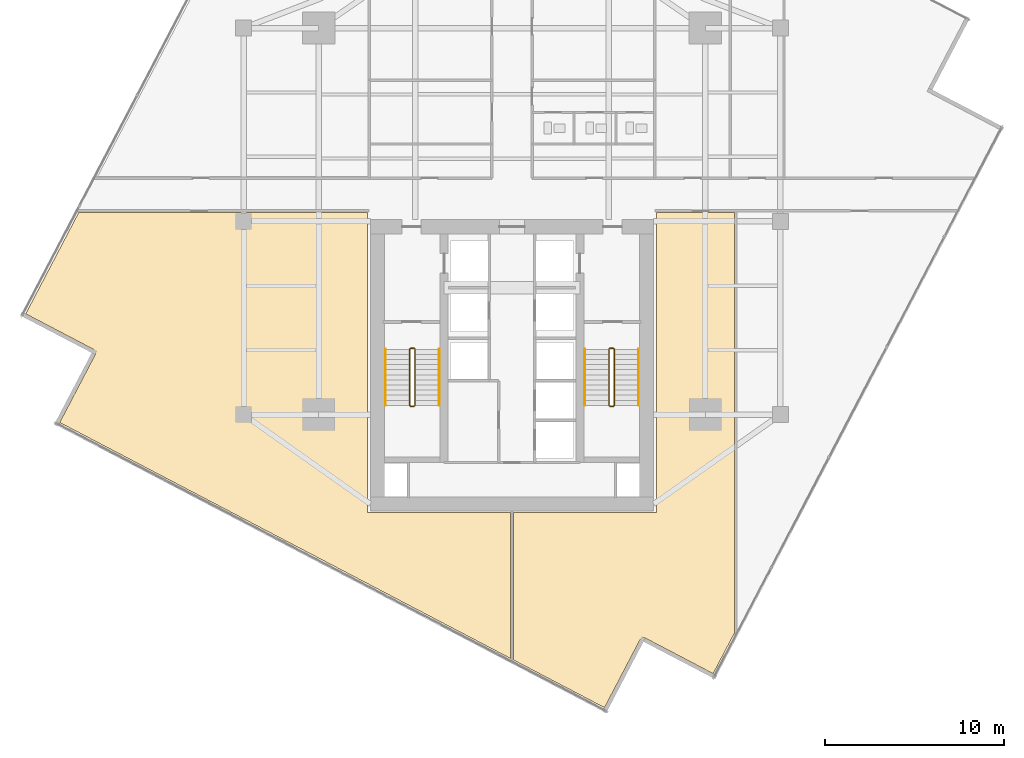
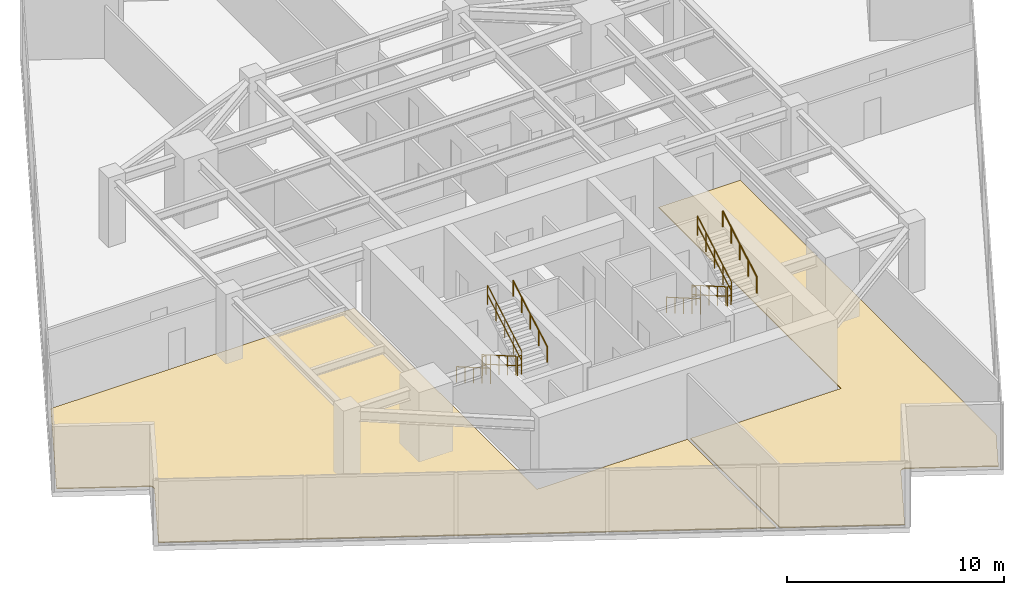
# One storey, part 25 of 27: 12 railings, 2 coverings.
"""IFC4 building model written with IfcOpenShell, lengths in metres."""

from ifc_helpers import new_model, si_unit, direction, frame, origin, origin_2d, place, context, subcontext, project, spatial, polyline, circle, outline, extrude, material, layer, layer_set, type_object, element, save


model = new_model("IFC4")

# Units and contexts
model_context = context("Model", 3, precision=1e-05, world=origin(), true_north=direction((0.0, 1.0)))
body_context = subcontext(model_context, "Body", "Model", "MODEL_VIEW")
ifc_project = project(units=[si_unit("LENGTHUNIT", "METRE"), si_unit("AREAUNIT", "SQUARE_METRE"), si_unit("VOLUMEUNIT", "CUBIC_METRE"), si_unit("PLANEANGLEUNIT", "RADIAN"), si_unit("MASSUNIT", "GRAM", prefix="KILO")], contexts=[model_context])

# Site, building, storey
site_placement = place(None, origin())
site = spatial("IfcSite", under=ifc_project, at=site_placement, CompositionType="ELEMENT")
building_placement = place(site_placement, origin())
building = spatial("IfcBuilding", under=site, at=building_placement, Name="Krantzveldt Concourse Tower", CompositionType="ELEMENT")
storey_placement = place(building_placement, frame((0.0, 0.0, 150.14990234375)))
storey = spatial("IfcBuildingStorey", under=building, at=storey_placement, Name="L36", CompositionType="ELEMENT", Elevation=150.14990234375)

# Coverings
ifc_material_1 = material(Name="Calcium-sulphate raised access floor panel", Category="flooring")
ifc_layer_1 = layer(ifc_material_1, 0.050048828125, Name="Calcium-sulphate raised access floor panel", Category="flooring")
ifc_layer_set_1 = layer_set([ifc_layer_1], Name="Calcium-sulphate raised access floor panel (COV-FLOOR-RAISED)")
covering_type = type_object("IfcCoveringType", Name="COV-FLOOR-RAISED", PredefinedType="FLOORING", material=ifc_layer_set_1)
covering_1_placement = place(storey_placement, origin())
element("IfcCovering", 1, at=covering_1_placement, inside=storey, type_object=covering_type, Name="FLR-SP-L36-SWX1", PredefinedType="FLOORING", context=body_context, shape_type="SweptSolid", body=[
    extrude(outline(polyline([(27.919921875, 10.419921875), (35.919921875, 10.419921875), (35.919921875, 2.2724609375), (10.725830078125, 15.45751953125), (12.71044921875, 19.249755859375), (12.719482421875, 19.269287109375), (12.7265625, 19.28955078125), (12.731689453125, 19.310546875), (12.734619140625, 19.33203125), (12.735595703125, 19.353515625), (12.734130859375, 19.375244140625), (12.73095703125, 19.396484375), (12.725341796875, 19.41748046875), (12.718017578125, 19.4375), (12.70849609375, 19.45703125), (12.697265625, 19.4755859375), (12.684326171875, 19.49267578125), (12.669677734375, 19.508544921875), (12.653564453125, 19.52294921875), (12.63623046875, 19.53564453125), (12.617431640625, 19.546630859375), (8.825439453125, 21.53125), (11.792236328125, 27.199951171875), (27.919921875, 27.199951171875), (27.919921875, 10.419921875)])), origin(), (0.0, 0.0, 1.0), 0.050048828125),
])
covering_2_placement = place(storey_placement, origin())
element("IfcCovering", 2, at=covering_2_placement, inside=storey, type_object=covering_type, Name="FLR-SP-L36-SEX1", PredefinedType="FLOORING", context=body_context, shape_type="SweptSolid", body=[
    extrude(outline(polyline([(48.419921875, 3.676025390625), (47.242431640625, 1.42578125), (43.450439453125, 3.410400390625), (43.4306640625, 3.41943359375), (43.410400390625, 3.426513671875), (43.389404296875, 3.431640625), (43.367919921875, 3.4345703125), (43.346435546875, 3.435546875), (43.324951171875, 3.434326171875), (43.303466796875, 3.430908203125), (43.28271484375, 3.425537109375), (43.262451171875, 3.41796875), (43.242919921875, 3.40869140625), (43.224609375, 3.3974609375), (43.207275390625, 3.38427734375), (43.19140625, 3.36962890625), (43.177001953125, 3.353515625), (43.164306640625, 3.336181640625), (43.1533203125, 3.317626953125), (41.1689453125, -0.474609375), (36.080078125, 2.188720703125), (36.080078125, 10.419921875), (44.080078125, 10.419921875), (44.080078125, 27.199951171875), (48.419921875, 27.199951171875), (48.419921875, 3.676025390625)])), origin(), (0.0, 0.0, 1.0), 0.050048828125),
])

# Railings
ifc_material_2 = material(Name="Stainless steel 316L", Category="steel")
ifc_layer_2 = layer(ifc_material_2, 0.06005859375, Name="Stainless steel 316L", Category="steel")
ifc_layer_set_2 = layer_set([ifc_layer_2], Name="Stainless steel 316L (RL-GUARD-1120)")
railing_type_1 = type_object("IfcRailingType", Name="RL-GUARD-1120", PredefinedType="GUARDRAIL", material=ifc_layer_set_2)
railing_1_placement = place(storey_placement, frame((30.280029296875, 19.550048828125, 0.164794921875)))
element("IfcRailing", 3, at=railing_1_placement, inside=storey, type_object=railing_type_1, Name="L36 ST-1 stair guard 1", PredefinedType="GUARDRAIL", context=body_context, shape_type="SweptSolid", body=[
    extrude(circle(Radius=0.02392578125, at=origin_2d()), frame((0.0, 0.0, 1.076171875), z_axis=(0.0, -0.865989039225, 0.500062979975), x_axis=(1.0, 0.0, 0.0)), (0.0, 0.0, 1.0), 3.6201171875),
    extrude(circle(Radius=0.02392578125, at=origin_2d()), frame((0.0, 0.0, 0.550048828125), z_axis=(0.0, -0.865989039225, 0.500062979975), x_axis=(1.0, 0.0, 0.0)), (0.0, 0.0, 1.0), 3.6201171875),
    extrude(circle(Radius=0.02099609375, at=origin_2d()), origin(), (0.0, 0.0, 1.0), 1.052001953125),
    extrude(circle(Radius=0.02099609375, at=origin_2d()), frame((0.0, -0.78369140625, 0.45263671875)), (0.0, 0.0, 1.0), 1.052001953125),
    extrude(circle(Radius=0.02099609375, at=origin_2d()), frame((0.0, -1.5673828125, 0.9052734375)), (0.0, 0.0, 1.0), 1.052001953125),
    extrude(circle(Radius=0.02099609375, at=origin_2d()), frame((0.0, -2.351318359375, 1.357666015625)), (0.0, 0.0, 1.0), 1.052001953125),
    extrude(circle(Radius=0.02099609375, at=origin_2d()), frame((0.0, -3.135009765625, 1.810302734375)), (0.0, 0.0, 1.0), 1.052001953125),
])
railing_2_placement = place(storey_placement, frame((30.330078125, 16.364990234375, 1.97509765625)))
element("IfcRailing", 4, at=railing_2_placement, inside=storey, type_object=railing_type_1, Name="L36 ST-1 stair guard 2", PredefinedType="GUARDRAIL", context=body_context, shape_type="SweptSolid", body=[
    extrude(circle(Radius=0.02392578125, at=origin_2d()), frame((0.0, 0.0, 1.076171875), z_axis=(1.0, 0.0, 0.0), x_axis=(0.0, 1.0, 0.0)), (0.0, 0.0, 1.0), 0.199951171875),
    extrude(circle(Radius=0.02392578125, at=origin_2d()), frame((0.0, 0.0, 0.550048828125), z_axis=(1.0, 0.0, 0.0), x_axis=(0.0, 1.0, 0.0)), (0.0, 0.0, 1.0), 0.199951171875),
    extrude(circle(Radius=0.02099609375, at=origin_2d()), origin(), (0.0, 0.0, 1.0), 1.052001953125),
    extrude(circle(Radius=0.02099609375, at=origin_2d()), frame((0.199951171875, 0.0, 0.0)), (0.0, 0.0, 1.0), 1.052001953125),
])
railing_3_placement = place(storey_placement, frame((30.580078125, 16.4150390625, 2.1396484375)))
element("IfcRailing", 5, at=railing_3_placement, inside=storey, type_object=railing_type_1, Name="L36 ST-1 stair guard 3", PredefinedType="GUARDRAIL", context=body_context, shape_type="SweptSolid", body=[
    extrude(circle(Radius=0.02392578125, at=origin_2d()), frame((0.0, 0.0, 1.076171875), z_axis=(0.0, 0.865959834175, 0.500113552702), x_axis=(-1.0, 0.0, 0.0)), (0.0, 0.0, 1.0), 3.620361328125),
    extrude(circle(Radius=0.02392578125, at=origin_2d()), frame((0.0, 0.0, 0.550048828125), z_axis=(0.0, 0.865959834175, 0.500113552702), x_axis=(-1.0, 0.0, 0.0)), (0.0, 0.0, 1.0), 3.620361328125),
    extrude(circle(Radius=0.02099609375, at=origin_2d()), origin(), (0.0, 0.0, 1.0), 1.052001953125),
    extrude(circle(Radius=0.02099609375, at=origin_2d()), frame((0.0, 0.78369140625, 0.45263671875)), (0.0, 0.0, 1.0), 1.052001953125),
    extrude(circle(Radius=0.02099609375, at=origin_2d()), frame((0.0, 1.5673828125, 0.9052734375)), (0.0, 0.0, 1.0), 1.052001953125),
    extrude(circle(Radius=0.02099609375, at=origin_2d()), frame((0.0, 2.351318359375, 1.35791015625)), (0.0, 0.0, 1.0), 1.052001953125),
    extrude(circle(Radius=0.02099609375, at=origin_2d()), frame((0.0, 3.135009765625, 1.810546875)), (0.0, 0.0, 1.0), 1.052001953125),
])
railing_4_placement = place(storey_placement, frame((30.330078125, 19.60009765625, 0.0)))
element("IfcRailing", 6, at=railing_4_placement, inside=storey, type_object=railing_type_1, Name="L36 ST-1 stair guard 4", PredefinedType="GUARDRAIL", context=body_context, shape_type="SweptSolid", body=[
    extrude(circle(Radius=0.02392578125, at=origin_2d()), frame((0.0, 0.0, 1.076171875), z_axis=(1.0, 0.0, 0.0), x_axis=(0.0, 1.0, 0.0)), (0.0, 0.0, 1.0), 0.199951171875),
    extrude(circle(Radius=0.02392578125, at=origin_2d()), frame((0.0, 0.0, 0.550048828125), z_axis=(1.0, 0.0, 0.0), x_axis=(0.0, 1.0, 0.0)), (0.0, 0.0, 1.0), 0.199951171875),
    extrude(circle(Radius=0.02099609375, at=origin_2d()), origin(), (0.0, 0.0, 1.0), 1.052001953125),
    extrude(circle(Radius=0.02099609375, at=origin_2d()), frame((0.199951171875, 0.0, 0.0)), (0.0, 0.0, 1.0), 1.052001953125),
])
railing_5_placement = place(storey_placement, frame((41.419921875, 19.550048828125, 0.164794921875)))
element("IfcRailing", 7, at=railing_5_placement, inside=storey, type_object=railing_type_1, Name="L36 ST-2 stair guard 1", PredefinedType="GUARDRAIL", context=body_context, shape_type="SweptSolid", body=[
    extrude(circle(Radius=0.02392578125, at=origin_2d()), frame((0.0, 0.0, 1.076171875), z_axis=(0.0, -0.865989039225, 0.500062979975), x_axis=(1.0, 0.0, 0.0)), (0.0, 0.0, 1.0), 3.6201171875),
    extrude(circle(Radius=0.02392578125, at=origin_2d()), frame((0.0, 0.0, 0.550048828125), z_axis=(0.0, -0.865989039225, 0.500062979975), x_axis=(1.0, 0.0, 0.0)), (0.0, 0.0, 1.0), 3.6201171875),
    extrude(circle(Radius=0.02099609375, at=origin_2d()), origin(), (0.0, 0.0, 1.0), 1.052001953125),
    extrude(circle(Radius=0.02099609375, at=origin_2d()), frame((0.0, -0.78369140625, 0.45263671875)), (0.0, 0.0, 1.0), 1.052001953125),
    extrude(circle(Radius=0.02099609375, at=origin_2d()), frame((0.0, -1.5673828125, 0.9052734375)), (0.0, 0.0, 1.0), 1.052001953125),
    extrude(circle(Radius=0.02099609375, at=origin_2d()), frame((0.0, -2.351318359375, 1.357666015625)), (0.0, 0.0, 1.0), 1.052001953125),
    extrude(circle(Radius=0.02099609375, at=origin_2d()), frame((0.0, -3.135009765625, 1.810302734375)), (0.0, 0.0, 1.0), 1.052001953125),
])
railing_6_placement = place(storey_placement, frame((41.469970703125, 16.364990234375, 1.97509765625)))
element("IfcRailing", 8, at=railing_6_placement, inside=storey, type_object=railing_type_1, Name="L36 ST-2 stair guard 2", PredefinedType="GUARDRAIL", context=body_context, shape_type="SweptSolid", body=[
    extrude(circle(Radius=0.02392578125, at=origin_2d()), frame((0.0, 0.0, 1.076171875), z_axis=(1.0, 0.0, 0.0), x_axis=(0.0, 1.0, 0.0)), (0.0, 0.0, 1.0), 0.199951171875),
    extrude(circle(Radius=0.02392578125, at=origin_2d()), frame((0.0, 0.0, 0.550048828125), z_axis=(1.0, 0.0, 0.0), x_axis=(0.0, 1.0, 0.0)), (0.0, 0.0, 1.0), 0.199951171875),
    extrude(circle(Radius=0.02099609375, at=origin_2d()), origin(), (0.0, 0.0, 1.0), 1.052001953125),
    extrude(circle(Radius=0.02099609375, at=origin_2d()), frame((0.199951171875, 0.0, 0.0)), (0.0, 0.0, 1.0), 1.052001953125),
])
railing_7_placement = place(storey_placement, frame((41.719970703125, 16.4150390625, 2.1396484375)))
element("IfcRailing", 9, at=railing_7_placement, inside=storey, type_object=railing_type_1, Name="L36 ST-2 stair guard 3", PredefinedType="GUARDRAIL", context=body_context, shape_type="SweptSolid", body=[
    extrude(circle(Radius=0.02392578125, at=origin_2d()), frame((0.0, 0.0, 1.076171875), z_axis=(0.0, 0.865959834175, 0.500113552702), x_axis=(-1.0, 0.0, 0.0)), (0.0, 0.0, 1.0), 3.620361328125),
    extrude(circle(Radius=0.02392578125, at=origin_2d()), frame((0.0, 0.0, 0.550048828125), z_axis=(0.0, 0.865959834175, 0.500113552702), x_axis=(-1.0, 0.0, 0.0)), (0.0, 0.0, 1.0), 3.620361328125),
    extrude(circle(Radius=0.02099609375, at=origin_2d()), origin(), (0.0, 0.0, 1.0), 1.052001953125),
    extrude(circle(Radius=0.02099609375, at=origin_2d()), frame((0.0, 0.78369140625, 0.45263671875)), (0.0, 0.0, 1.0), 1.052001953125),
    extrude(circle(Radius=0.02099609375, at=origin_2d()), frame((0.0, 1.5673828125, 0.9052734375)), (0.0, 0.0, 1.0), 1.052001953125),
    extrude(circle(Radius=0.02099609375, at=origin_2d()), frame((0.0, 2.351318359375, 1.35791015625)), (0.0, 0.0, 1.0), 1.052001953125),
    extrude(circle(Radius=0.02099609375, at=origin_2d()), frame((0.0, 3.135009765625, 1.810546875)), (0.0, 0.0, 1.0), 1.052001953125),
])
railing_8_placement = place(storey_placement, frame((41.469970703125, 19.60009765625, 0.0)))
element("IfcRailing", 10, at=railing_8_placement, inside=storey, type_object=railing_type_1, Name="L36 ST-2 stair guard 4", PredefinedType="GUARDRAIL", context=body_context, shape_type="SweptSolid", body=[
    extrude(circle(Radius=0.02392578125, at=origin_2d()), frame((0.0, 0.0, 1.076171875), z_axis=(1.0, 0.0, 0.0), x_axis=(0.0, 1.0, 0.0)), (0.0, 0.0, 1.0), 0.199951171875),
    extrude(circle(Radius=0.02392578125, at=origin_2d()), frame((0.0, 0.0, 0.550048828125), z_axis=(1.0, 0.0, 0.0), x_axis=(0.0, 1.0, 0.0)), (0.0, 0.0, 1.0), 0.199951171875),
    extrude(circle(Radius=0.02099609375, at=origin_2d()), origin(), (0.0, 0.0, 1.0), 1.052001953125),
    extrude(circle(Radius=0.02099609375, at=origin_2d()), frame((0.199951171875, 0.0, 0.0)), (0.0, 0.0, 1.0), 1.052001953125),
])
ifc_layer_3 = layer(ifc_material_2, 0.050048828125, Name="Stainless steel 316L", Category="steel")
ifc_layer_set_3 = layer_set([ifc_layer_3], Name="Stainless steel 316L (RL-HANDRAIL-920)")
railing_type_2 = type_object("IfcRailingType", Name="RL-HANDRAIL-920", PredefinedType="HANDRAIL", material=ifc_layer_set_3)
railing_9_placement = place(storey_placement, frame((28.929931640625, 19.550048828125, 0.164794921875)))
element("IfcRailing", 11, at=railing_9_placement, inside=storey, type_object=railing_type_2, Name="L36 ST-1 stair handrail 1", PredefinedType="HANDRAIL", context=body_context, shape_type="SweptSolid", body=[
    extrude(circle(Radius=0.02392578125, at=origin_2d()), frame((0.0, 0.0, 0.8759765625), z_axis=(0.0, -0.865989039225, 0.500062979975), x_axis=(1.0, 0.0, 0.0)), (0.0, 0.0, 1.0), 3.6201171875),
    extrude(circle(Radius=0.02099609375, at=origin_2d()), origin(), (0.0, 0.0, 1.0), 0.851806640625),
    extrude(circle(Radius=0.02099609375, at=origin_2d()), frame((0.0, -0.78369140625, 0.45263671875)), (0.0, 0.0, 1.0), 0.851806640625),
    extrude(circle(Radius=0.02099609375, at=origin_2d()), frame((0.0, -1.5673828125, 0.9052734375)), (0.0, 0.0, 1.0), 0.851806640625),
    extrude(circle(Radius=0.02099609375, at=origin_2d()), frame((0.0, -2.351318359375, 1.357666015625)), (0.0, 0.0, 1.0), 0.851806640625),
    extrude(circle(Radius=0.02099609375, at=origin_2d()), frame((0.0, -3.135009765625, 1.810302734375)), (0.0, 0.0, 1.0), 0.851806640625),
])
railing_10_placement = place(storey_placement, frame((31.929931640625, 16.4150390625, 2.1396484375)))
element("IfcRailing", 12, at=railing_10_placement, inside=storey, type_object=railing_type_2, Name="L36 ST-1 stair handrail 2", PredefinedType="HANDRAIL", context=body_context, shape_type="SweptSolid", body=[
    extrude(circle(Radius=0.02392578125, at=origin_2d()), frame((0.0, 0.0, 0.8759765625), z_axis=(0.0, 0.865959834175, 0.500113552702), x_axis=(-1.0, 0.0, 0.0)), (0.0, 0.0, 1.0), 3.620361328125),
    extrude(circle(Radius=0.02099609375, at=origin_2d()), origin(), (0.0, 0.0, 1.0), 0.851806640625),
    extrude(circle(Radius=0.02099609375, at=origin_2d()), frame((0.0, 0.78369140625, 0.45263671875)), (0.0, 0.0, 1.0), 0.851806640625),
    extrude(circle(Radius=0.02099609375, at=origin_2d()), frame((0.0, 1.5673828125, 0.9052734375)), (0.0, 0.0, 1.0), 0.851806640625),
    extrude(circle(Radius=0.02099609375, at=origin_2d()), frame((0.0, 2.351318359375, 1.35791015625)), (0.0, 0.0, 1.0), 0.851806640625),
    extrude(circle(Radius=0.02099609375, at=origin_2d()), frame((0.0, 3.135009765625, 1.810546875)), (0.0, 0.0, 1.0), 0.851806640625),
])
railing_11_placement = place(storey_placement, frame((40.070068359375, 19.550048828125, 0.164794921875)))
element("IfcRailing", 13, at=railing_11_placement, inside=storey, type_object=railing_type_2, Name="L36 ST-2 stair handrail 1", PredefinedType="HANDRAIL", context=body_context, shape_type="SweptSolid", body=[
    extrude(circle(Radius=0.02392578125, at=origin_2d()), frame((0.0, 0.0, 0.8759765625), z_axis=(0.0, -0.865989039225, 0.500062979975), x_axis=(1.0, 0.0, 0.0)), (0.0, 0.0, 1.0), 3.6201171875),
    extrude(circle(Radius=0.02099609375, at=origin_2d()), origin(), (0.0, 0.0, 1.0), 0.851806640625),
    extrude(circle(Radius=0.02099609375, at=origin_2d()), frame((0.0, -0.78369140625, 0.45263671875)), (0.0, 0.0, 1.0), 0.851806640625),
    extrude(circle(Radius=0.02099609375, at=origin_2d()), frame((0.0, -1.5673828125, 0.9052734375)), (0.0, 0.0, 1.0), 0.851806640625),
    extrude(circle(Radius=0.02099609375, at=origin_2d()), frame((0.0, -2.351318359375, 1.357666015625)), (0.0, 0.0, 1.0), 0.851806640625),
    extrude(circle(Radius=0.02099609375, at=origin_2d()), frame((0.0, -3.135009765625, 1.810302734375)), (0.0, 0.0, 1.0), 0.851806640625),
])
railing_12_placement = place(storey_placement, frame((43.070068359375, 16.4150390625, 2.1396484375)))
element("IfcRailing", 14, at=railing_12_placement, inside=storey, type_object=railing_type_2, Name="L36 ST-2 stair handrail 2", PredefinedType="HANDRAIL", context=body_context, shape_type="SweptSolid", body=[
    extrude(circle(Radius=0.02392578125, at=origin_2d()), frame((0.0, 0.0, 0.8759765625), z_axis=(0.0, 0.865959834175, 0.500113552702), x_axis=(-1.0, 0.0, 0.0)), (0.0, 0.0, 1.0), 3.620361328125),
    extrude(circle(Radius=0.02099609375, at=origin_2d()), origin(), (0.0, 0.0, 1.0), 0.851806640625),
    extrude(circle(Radius=0.02099609375, at=origin_2d()), frame((0.0, 0.78369140625, 0.45263671875)), (0.0, 0.0, 1.0), 0.851806640625),
    extrude(circle(Radius=0.02099609375, at=origin_2d()), frame((0.0, 1.5673828125, 0.9052734375)), (0.0, 0.0, 1.0), 0.851806640625),
    extrude(circle(Radius=0.02099609375, at=origin_2d()), frame((0.0, 2.351318359375, 1.35791015625)), (0.0, 0.0, 1.0), 0.851806640625),
    extrude(circle(Radius=0.02099609375, at=origin_2d()), frame((0.0, 3.135009765625, 1.810546875)), (0.0, 0.0, 1.0), 0.851806640625),
])

save(model, "model.ifc")
